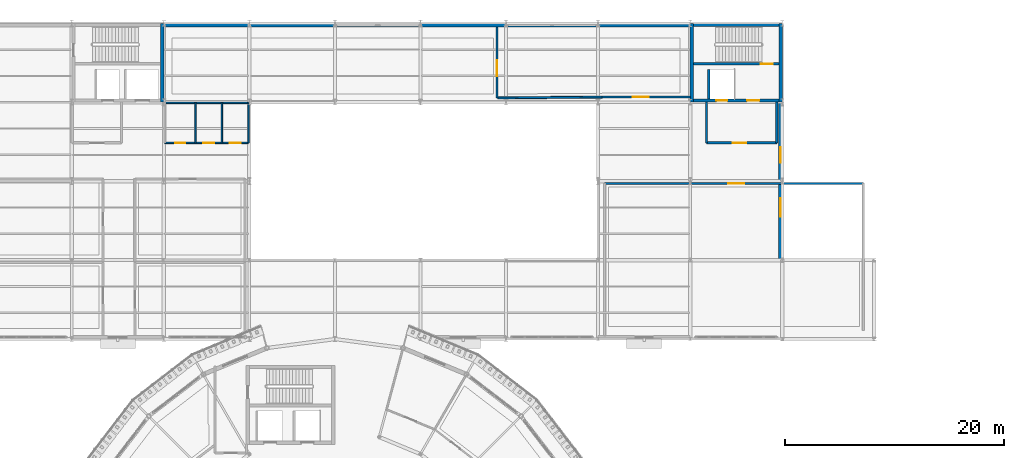
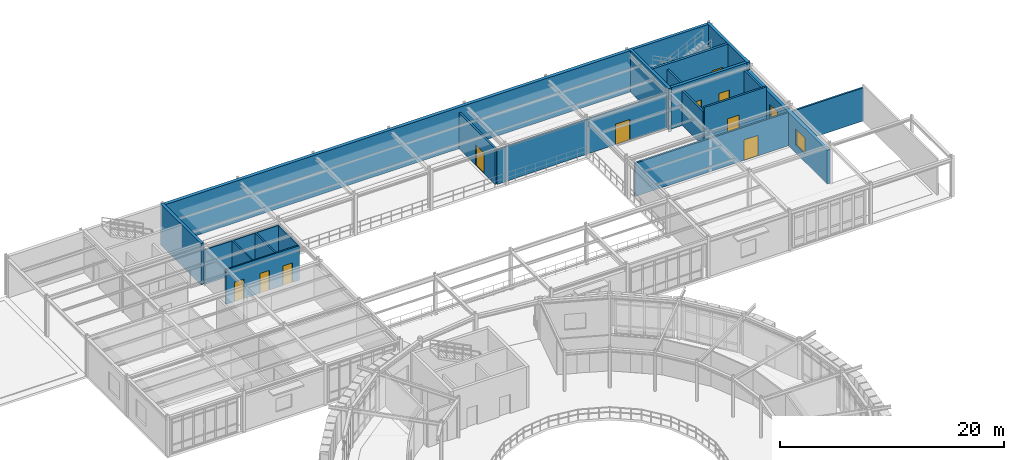
# One storey, part 91 of 106: 21 walls, 10 doors, 2 windows, 12 openings.
"""IFC4 building model written with IfcOpenShell, lengths in metres."""

from ifc_helpers import new_model, si_unit, derived_unit, direction, frame, frame_2d, origin, place, context, subcontext, project, spatial, rectangle, extrude, material, layer, layer_set, type_object, element, fill, save


model = new_model("IFC4")

# Units and contexts
model_context = context("Model", 3, precision=1e-05, world=origin(), true_north=direction((0.0, 1.0)))
body_context = subcontext(model_context, "Body", "Model", "MODEL_VIEW")
ifc_project = project(units=[si_unit("LENGTHUNIT", "METRE"), si_unit("AREAUNIT", "SQUARE_METRE"), si_unit("VOLUMEUNIT", "CUBIC_METRE"), si_unit("PLANEANGLEUNIT", "RADIAN"), si_unit("MASSUNIT", "GRAM", prefix="KILO"), derived_unit("THERMALTRANSMITTANCEUNIT", [(si_unit("POWERUNIT", "WATT"), 1), (si_unit("AREAUNIT", "SQUARE_METRE"), -1), (si_unit("THERMODYNAMICTEMPERATUREUNIT", "KELVIN"), -1)])], contexts=[model_context])

# Site, building, storey
site_placement = place(None, origin())
site = spatial("IfcSite", under=ifc_project, at=site_placement, CompositionType="ELEMENT")
building_placement = place(site_placement, origin())
building = spatial("IfcBuilding", under=site, at=building_placement, Name="Yasenodar Specialist Clinic", CompositionType="ELEMENT")
storey_placement = place(building_placement, frame((0.0, 0.0, 4.5)))
storey = spatial("IfcBuildingStorey", under=building, at=storey_placement, Name="L01", CompositionType="ELEMENT", Elevation=4.5)

# Wall, openings, windows
ifc_material_1 = material(Name="Buff Architectural Terracotta Rainscreen", Category="masonry")
ifc_layer_1 = layer(ifc_material_1, 0.340087890625)
ifc_layer_set_1 = layer_set([ifc_layer_1], Name="Buff Architectural Terracotta Rainscreen")
wall_type_1 = type_object("IfcWallType", Name="EW-TERR-340", PredefinedType="SOLIDWALL", material=ifc_layer_set_1)
wall_1_placement = place(storey_placement, frame((121.6298828125, 104.39990234375, 0.0), z_axis=(0.0, 0.0, 1.0), x_axis=(0.0, -1.0, 0.0)))
wall_1 = element("IfcWall", 1, at=wall_1_placement, inside=storey, type_object=wall_type_1, Name="L01 Exterior Facade Wall 0167", PredefinedType="SOLIDWALL", context=body_context, shape_type="SweptSolid", body=[
    extrude(rectangle(XDim=14.39990234375, YDim=0.340087890625, at=frame_2d((7.199951171875, 0.0))), origin(), (0.0, 0.0, 1.0), 3.677978515625),
])
opening_1_placement = place(wall_1_placement, frame((4.10009765625, 0.0, 0.85009765625)))
opening_1 = element("IfcOpeningElement", 2, at=opening_1_placement, cuts=wall_1, Name="Opening W-11", PredefinedType="OPENING", context=body_context, shape_type="SweptSolid", body=[
    extrude(rectangle(XDim=1.39990234375, YDim=1.64990234375, at=frame_2d((0.699951171875, 0.824951171875))), frame((0.0, 0.18017578125, 0.0), z_axis=(0.0, -1.0, 0.0), x_axis=(1.0, 0.0, 0.0)), (0.0, 0.0, 1.0), 0.360107421875),
])
opening_2_placement = place(wall_1_placement, frame((8.75, 0.0, 0.85009765625)))
opening_2 = element("IfcOpeningElement", 3, at=opening_2_placement, cuts=wall_1, Name="Opening W-12", PredefinedType="OPENING", context=body_context, shape_type="SweptSolid", body=[
    extrude(rectangle(XDim=1.699951171875, YDim=1.75, at=frame_2d((0.85009765625, 0.875))), frame((0.0, 0.18017578125, 0.0), z_axis=(0.0, -1.0, 0.0), x_axis=(1.0, 0.0, 0.0)), (0.0, 0.0, 1.0), 0.360107421875),
])
ifc_material_2 = material(Name="Triple Low-E Argon Glazing in Bronze Aluminium Frame", Category="aluminium")
window_type_1 = type_object("IfcWindowType", Name="WIN-EXT-11", PartitioningType="SINGLE_PANEL", PredefinedType="WINDOW", material=ifc_material_2)
window_1_placement = place(opening_1_placement, origin())
window_1 = element("IfcWindow", 4, at=window_1_placement, inside=storey, type_object=window_type_1, Name="L01 Triple-Glazed Reveal Window 0184", OverallHeight=1.64990234375, OverallWidth=1.39990234375, PartitioningType="SINGLE_PANEL", PredefinedType="WINDOW", context=body_context, shape_type="SweptSolid", body=[
    extrude(rectangle(XDim=1.39990234375, YDim=1.64990234375, at=frame_2d((0.699951171875, 0.824951171875))), frame((0.0, 0.030029296875, 0.0), z_axis=(0.0, -1.0, 0.0), x_axis=(1.0, 0.0, 0.0)), (0.0, 0.0, 1.0), 0.06005859375),
])
fill(opening_1, window_1)
window_type_2 = type_object("IfcWindowType", Name="WIN-EXT-12", PartitioningType="SINGLE_PANEL", PredefinedType="WINDOW", material=ifc_material_2)
window_2_placement = place(opening_2_placement, origin())
window_2 = element("IfcWindow", 5, at=window_2_placement, inside=storey, type_object=window_type_2, Name="L01 Triple-Glazed Reveal Window 0185", OverallHeight=1.75, OverallWidth=1.699951171875, PartitioningType="SINGLE_PANEL", PredefinedType="WINDOW", context=body_context, shape_type="SweptSolid", body=[
    extrude(rectangle(XDim=1.699951171875, YDim=1.75, at=frame_2d((0.85009765625, 0.875))), frame((0.0, 0.030029296875, 0.0), z_axis=(0.0, -1.0, 0.0), x_axis=(1.0, 0.0, 0.0)), (0.0, 0.0, 1.0), 0.06005859375),
])
fill(opening_2, window_2)

# Wall, opening, door
ifc_material_3 = material(Name="Fire-Rated Gypsum and Mineral-Wool Wall")
ifc_layer_2 = layer(ifc_material_3, 0.195068359375)
ifc_layer_set_2 = layer_set([ifc_layer_2], Name="Fire-Rated Gypsum and Mineral-Wool Wall")
wall_type_2 = type_object("IfcWallType", Name="IW-LOBBY-195", PredefinedType="PARTITIONING", material=ifc_layer_set_2)
wall_2_placement = place(storey_placement, frame((114.89990234375, 100.699951171875, 0.0), z_axis=(0.0, 0.0, 1.0), x_axis=(1.0, 0.0, 0.0)))
wall_2 = element("IfcWall", 6, at=wall_2_placement, inside=storey, type_object=wall_type_2, Name="L01 C5 Firefighting Lobby South Wall", PredefinedType="PARTITIONING", context=body_context, shape_type="SweptSolid", body=[
    extrude(rectangle(XDim=6.400146484375, YDim=0.195068359375, at=frame_2d((3.2001953125, 0.0))), origin(), (0.0, 0.0, 1.0), 4.22998046875),
])
opening_3_placement = place(wall_2_placement, frame((2.39990234375, 0.0, 0.0)))
opening_3 = element("IfcOpeningElement", 7, at=opening_3_placement, cuts=wall_2, Name="Opening FD-02", PredefinedType="OPENING", context=body_context, shape_type="SweptSolid", body=[
    extrude(rectangle(XDim=1.199951171875, YDim=2.14990234375, at=frame_2d((0.60009765625, 1.074951171875))), frame((0.0, 0.107421875, 0.0), z_axis=(0.0, -1.0, 0.0), x_axis=(1.0, 0.0, 0.0)), (0.0, 0.0, 1.0), 0.215087890625),
])
ifc_material_4 = material(Name="Fire-Rated Insulated Steel Door", Category="steel")
door_type_1 = type_object("IfcDoorType", Name="DR-FD-120", OperationType="NOTDEFINED", PredefinedType="DOOR", material=ifc_material_4)
door_1_placement = place(opening_3_placement, origin())
door_1 = element("IfcDoor", 8, at=door_1_placement, inside=storey, type_object=door_type_1, Name="L01 C5 Firefighting Lobby Door", OperationType="SINGLE_SWING_LEFT", OverallHeight=2.14990234375, OverallWidth=1.199951171875, PredefinedType="DOOR", context=body_context, shape_type="SweptSolid", body=[
    extrude(rectangle(XDim=1.199951171875, YDim=2.14990234375, at=frame_2d((0.60009765625, 1.074951171875))), frame((0.0, 0.02490234375, 0.0), z_axis=(0.0, -1.0, 0.0), x_axis=(1.0, 0.0, 0.0)), (0.0, 0.0, 1.0), 0.050048828125),
])
fill(opening_3, door_1)

# Walls
for number, where, z_axis, x_axis, name in (
    (9, (121.300048828125, 100.699951171875, 0.0), (0.0, 0.0, 1.0), (0.0, 1.0, 0.0), "L01 C5 Firefighting Lobby East Wall"),
    (10, (114.89990234375, 100.699951171875, 0.0), (0.0, 0.0, 1.0), (0.0, 1.0, 0.0), "L01 C5 Firefighting Lobby West Wall"),
):
    element("IfcWall", number, at=place(storey_placement, frame(where, z_axis=z_axis, x_axis=x_axis)), inside=storey, type_object=wall_type_2, Name=name, PredefinedType="PARTITIONING", context=body_context, shape_type="SweptSolid", body=[
        extrude(rectangle(XDim=3.699951171875, YDim=0.195068359375, at=frame_2d((1.85009765625, 0.0))), origin(), (0.0, 0.0, 1.0), 3.778076171875),
    ])

# Wall, opening, door
ifc_material_5 = material(Name="Hygienic Double-Stud Clinical Partition")
ifc_layer_3 = layer(ifc_material_5, 0.179931640625)
ifc_layer_set_3 = layer_set([ifc_layer_3], Name="Hygienic Double-Stud Clinical Partition")
wall_type_3 = type_object("IfcWallType", Name="IW-PROC-180", PredefinedType="PARTITIONING", material=ifc_layer_set_3)
wall_3_placement = place(storey_placement, frame((95.800048828125, 111.27001953125, 0.0), z_axis=(0.0, 0.0, 1.0), x_axis=(0.0, -1.0, 0.0)))
wall_3 = element("IfcWall", 11, at=wall_3_placement, inside=storey, type_object=wall_type_3, Name="L01 Post-Procedure Recovery Ward Partition", PredefinedType="PARTITIONING", context=body_context, shape_type="SweptSolid", body=[
    extrude(rectangle(XDim=6.469970703125, YDim=0.179931640625, at=frame_2d((3.23486328125, 0.0))), origin(), (0.0, 0.0, 1.0), 3.927978515625),
])
opening_4_placement = place(wall_3_placement, frame((3.02001953125, 0.0, 0.0)))
opening_4 = element("IfcOpeningElement", 12, at=opening_4_placement, cuts=wall_3, Name="Opening D-09", PredefinedType="OPENING", context=body_context, shape_type="SweptSolid", body=[
    extrude(rectangle(XDim=1.47998046875, YDim=2.239990234375, at=frame_2d((0.739990234375, 1.1201171875))), frame((0.0, 0.10009765625, 0.0), z_axis=(0.0, -1.0, 0.0), x_axis=(1.0, 0.0, 0.0)), (0.0, 0.0, 1.0), 0.199951171875),
])
ifc_material_6 = material(Name="Powder-Coated Steel and Acoustic Laminate Leaf", Category="steel")
door_type_2 = type_object("IfcDoorType", Name="DR-BED-148", OperationType="DOUBLE_DOOR_SINGLE_SWING", PredefinedType="DOOR", material=ifc_material_6)
door_2_placement = place(opening_4_placement, origin())
door_2 = element("IfcDoor", 13, at=door_2_placement, inside=storey, type_object=door_type_2, Name="L01 Post-Procedure Recovery Ward Door", OperationType="DOUBLE_DOOR_SINGLE_SWING", OverallHeight=2.239990234375, OverallWidth=1.47998046875, PredefinedType="DOOR", context=body_context, shape_type="SweptSolid", body=[
    extrude(rectangle(XDim=1.47998046875, YDim=2.239990234375, at=frame_2d((0.739990234375, 1.1201171875))), frame((0.0, 0.02490234375, 0.0), z_axis=(0.0, -1.0, 0.0), x_axis=(1.0, 0.0, 0.0)), (0.0, 0.0, 1.0), 0.050048828125),
])
fill(opening_4, door_2)

wall_4_placement = place(storey_placement, frame((113.419921875, 104.8701171875, 0.0), z_axis=(0.0, 0.0, 1.0), x_axis=(-1.0, 0.0, 0.0)))
wall_4 = element("IfcWall", 14, at=wall_4_placement, inside=storey, type_object=wall_type_3, Name="L01 Nurse Recovery Monitoring Station Partition", PredefinedType="PARTITIONING", context=body_context, shape_type="SweptSolid", body=[
    extrude(rectangle(XDim=8.0400390625, YDim=0.179931640625, at=frame_2d((4.02001953125, 0.0))), origin(), (0.0, 0.0, 1.0), 3.778076171875),
])
opening_5_placement = place(wall_4_placement, frame((3.780029296875, 0.0, 0.0)))
opening_5 = element("IfcOpeningElement", 15, at=opening_5_placement, cuts=wall_4, Name="Opening D-09", PredefinedType="OPENING", context=body_context, shape_type="SweptSolid", body=[
    extrude(rectangle(XDim=1.47998046875, YDim=2.239990234375, at=frame_2d((0.739990234375, 1.1201171875))), frame((0.0, 0.10009765625, 0.0), z_axis=(0.0, -1.0, 0.0), x_axis=(1.0, 0.0, 0.0)), (0.0, 0.0, 1.0), 0.199951171875),
])
door_3_placement = place(opening_5_placement, origin())
door_3 = element("IfcDoor", 16, at=door_3_placement, inside=storey, type_object=door_type_2, Name="L01 Nurse Recovery Monitoring Station Door", OperationType="DOUBLE_DOOR_SINGLE_SWING", OverallHeight=2.239990234375, OverallWidth=1.47998046875, PredefinedType="DOOR", context=body_context, shape_type="SweptSolid", body=[
    extrude(rectangle(XDim=1.47998046875, YDim=2.239990234375, at=frame_2d((0.739990234375, 1.1201171875))), frame((0.0, 0.02490234375, 0.0), z_axis=(0.0, -1.0, 0.0), x_axis=(1.0, 0.0, 0.0)), (0.0, 0.0, 1.0), 0.050048828125),
])
fill(opening_5, door_3)

# Wall
wall_5_placement = place(storey_placement, frame((105.3798828125, 104.8701171875, 0.0), z_axis=(0.0, 0.0, 1.0), x_axis=(-0.999969546458, -0.007804239631, 0.0)))
element("IfcWall", 17, at=wall_5_placement, inside=storey, type_object=wall_type_3, Name="L01 Nurse Recovery Monitoring Station Partition", PredefinedType="PARTITIONING", context=body_context, shape_type="SweptSolid", body=[
    extrude(rectangle(XDim=9.510009765625, YDim=0.179931640625, at=frame_2d((4.7548828125, 0.0))), origin(), (0.0, 0.0, 1.0), 3.778076171875),
])

# Wall, opening, door
wall_6_placement = place(storey_placement, frame((105.60009765625, 97.0, 0.0), z_axis=(0.0, 0.0, 1.0), x_axis=(1.0, 0.0, 0.0)))
wall_6 = element("IfcWall", 18, at=wall_6_placement, inside=storey, type_object=wall_type_3, Name="L01 Pain Block Procedure Suite Partition", PredefinedType="PARTITIONING", context=body_context, shape_type="SweptSolid", body=[
    extrude(rectangle(XDim=23.599853515625, YDim=0.179931640625, at=frame_2d((11.7998046875, 0.0))), origin(), (0.0, 0.0, 1.0), 3.6279296875),
])
opening_6_placement = place(wall_6_placement, frame((11.25, 0.0, 0.0)))
opening_6 = element("IfcOpeningElement", 19, at=opening_6_placement, cuts=wall_6, Name="Opening D-09", PredefinedType="OPENING", context=body_context, shape_type="SweptSolid", body=[
    extrude(rectangle(XDim=1.47998046875, YDim=2.239990234375, at=frame_2d((0.739990234375, 1.1201171875))), frame((0.0, 0.10009765625, 0.0), z_axis=(0.0, -1.0, 0.0), x_axis=(1.0, 0.0, 0.0)), (0.0, 0.0, 1.0), 0.199951171875),
])
door_4_placement = place(opening_6_placement, origin())
door_4 = element("IfcDoor", 20, at=door_4_placement, inside=storey, type_object=door_type_2, Name="L01 Pain Block Procedure Suite Door", OperationType="DOUBLE_DOOR_SINGLE_SWING", OverallHeight=2.239990234375, OverallWidth=1.47998046875, PredefinedType="DOOR", context=body_context, shape_type="SweptSolid", body=[
    extrude(rectangle(XDim=1.47998046875, YDim=2.239990234375, at=frame_2d((0.739990234375, 1.1201171875))), frame((0.0, 0.02490234375, 0.0), z_axis=(0.0, -1.0, 0.0), x_axis=(1.0, 0.0, 0.0)), (0.0, 0.0, 1.0), 0.050048828125),
])
fill(opening_6, door_4)

# Walls
ifc_material_7 = material(Name="Aerated Concrete Blockwork Fire Shaft Wall", Category="masonry")
ifc_layer_4 = layer(ifc_material_7, 0.205078125)
ifc_layer_set_4 = layer_set([ifc_layer_4], Name="Aerated Concrete Blockwork Fire Shaft Wall")
wall_type_4 = type_object("IfcWallType", Name="IW-SHAFT-205", PredefinedType="PARTITIONING", material=ifc_layer_set_4)
wall_7_placement = place(storey_placement, frame((115.10009765625, 104.699951171875, 0.0), z_axis=(0.0, 0.0, 1.0), x_axis=(0.0, 1.0, 0.0)))
element("IfcWall", 21, at=wall_7_placement, inside=storey, type_object=wall_type_4, Name="L01 LF-08 Lift Shaft Side Wall", PredefinedType="PARTITIONING", context=body_context, shape_type="SweptSolid", body=[
    extrude(rectangle(XDim=2.699951171875, YDim=0.205078125, at=frame_2d((1.35009765625, 0.0))), origin(), (0.0, 0.0, 1.0), 4.22998046875),
])
ifc_material_8 = material(Name="Moisture-Resistant Sanitary Partition")
ifc_layer_5 = layer(ifc_material_8, 0.139892578125)
ifc_layer_set_5 = layer_set([ifc_layer_5], Name="Moisture-Resistant Sanitary Partition")
wall_type_5 = type_object("IfcWallType", Name="IW-WET-140", PredefinedType="PARTITIONING", material=ifc_layer_set_5)
wall_8_placement = place(storey_placement, frame((65.39990234375, 104.35009765625, 0.0), z_axis=(0.0, 0.0, 1.0), x_axis=(1.0, 0.0, 0.0)))
element("IfcWall", 22, at=wall_8_placement, inside=storey, type_object=wall_type_5, Name="L01 North Sanitary Block North Wall", PredefinedType="PARTITIONING", context=body_context, shape_type="SweptSolid", body=[
    extrude(rectangle(XDim=7.7001953125, YDim=0.139892578125, at=frame_2d((3.85009765625, 0.0))), origin(), (0.0, 0.0, 1.0), 3.778076171875),
])
wall_9_placement = place(storey_placement, frame((73.10009765625, 100.699951171875, 0.0), z_axis=(0.0, 0.0, 1.0), x_axis=(0.0, 1.0, 0.0)))
element("IfcWall", 23, at=wall_9_placement, inside=storey, type_object=wall_type_5, Name="L01 North Sanitary Block East Wall", PredefinedType="PARTITIONING", context=body_context, shape_type="SweptSolid", body=[
    extrude(rectangle(XDim=3.650146484375, YDim=0.139892578125, at=frame_2d((1.8251953125, 0.0))), origin(), (0.0, 0.0, 1.0), 3.778076171875),
])
for number, where, z_axis, x_axis, name in (
    (24, (68.300048828125, 100.699951171875, 0.0), (0.0, 0.0, 1.0), (0.0, 1.0, 0.0), "L01 North Accessible WC Divider Wall"),
    (25, (70.699951171875, 100.699951171875, 0.0), (0.0, 0.0, 1.0), (0.0, 1.0, 0.0), "L01 North Patient and Staff WC Divider Wall"),
):
    element("IfcWall", number, at=place(storey_placement, frame(where, z_axis=z_axis, x_axis=x_axis)), inside=storey, type_object=wall_type_5, Name=name, PredefinedType="PARTITIONING", context=body_context, shape_type="SweptSolid", body=[
        extrude(rectangle(XDim=3.650146484375, YDim=0.139892578125, at=frame_2d((1.8251953125, 0.0))), origin(), (0.0, 0.0, 1.0), 3.837890625),
    ])

# Wall, openings, doors
wall_10_placement = place(storey_placement, frame((65.5, 100.699951171875, 0.0), z_axis=(0.0, 0.0, 1.0), x_axis=(1.0, 0.0, 0.0)))
wall_10 = element("IfcWall", 26, at=wall_10_placement, inside=storey, type_object=wall_type_5, Name="L01 North Sanitary Block Corridor Wall", PredefinedType="PARTITIONING", context=body_context, shape_type="SweptSolid", body=[
    extrude(rectangle(XDim=7.60009765625, YDim=0.139892578125, at=frame_2d((3.800048828125, 0.0))), origin(), (0.0, 0.0, 1.0), 3.778076171875),
])
opening_7_placement = place(wall_10_placement, frame((0.919921875, 0.0, 0.0)))
opening_7 = element("IfcOpeningElement", 27, at=opening_7_placement, cuts=wall_10, Name="Opening D-01", PredefinedType="OPENING", context=body_context, shape_type="SweptSolid", body=[
    extrude(rectangle(XDim=0.949951171875, YDim=2.1201171875, at=frame_2d((0.47509765625, 1.06005859375))), frame((0.0, 0.080078125, 0.0), z_axis=(0.0, -1.0, 0.0), x_axis=(1.0, 0.0, 0.0)), (0.0, 0.0, 1.0), 0.159912109375),
])
opening_8_placement = place(wall_10_placement, frame((3.510009765625, 0.0, 0.0)))
opening_8 = element("IfcOpeningElement", 28, at=opening_8_placement, cuts=wall_10, Name="Opening D-02", PredefinedType="OPENING", context=body_context, shape_type="SweptSolid", body=[
    extrude(rectangle(XDim=0.97998046875, YDim=2.139892578125, at=frame_2d((0.489990234375, 1.06982421875))), frame((0.0, 0.080078125, 0.0), z_axis=(0.0, -1.0, 0.0), x_axis=(1.0, 0.0, 0.0)), (0.0, 0.0, 1.0), 0.159912109375),
])
opening_9_placement = place(wall_10_placement, frame((5.909912109375, 0.0, 0.0)))
opening_9 = element("IfcOpeningElement", 29, at=opening_9_placement, cuts=wall_10, Name="Opening D-02", PredefinedType="OPENING", context=body_context, shape_type="SweptSolid", body=[
    extrude(rectangle(XDim=0.97998046875, YDim=2.139892578125, at=frame_2d((0.489990234375, 1.06982421875))), frame((0.0, 0.080078125, 0.0), z_axis=(0.0, -1.0, 0.0), x_axis=(1.0, 0.0, 0.0)), (0.0, 0.0, 1.0), 0.159912109375),
])
door_type_3 = type_object("IfcDoorType", Name="DR-CLN-095", OperationType="NOTDEFINED", PredefinedType="DOOR", material=ifc_material_6)
door_5_placement = place(opening_7_placement, origin())
door_5 = element("IfcDoor", 30, at=door_5_placement, inside=storey, type_object=door_type_3, Name="L01 North Accessible WC Door", OperationType="SINGLE_SWING_LEFT", OverallHeight=2.1201171875, OverallWidth=0.949951171875, PredefinedType="DOOR", context=body_context, shape_type="SweptSolid", body=[
    extrude(rectangle(XDim=0.949951171875, YDim=2.1201171875, at=frame_2d((0.47509765625, 1.06005859375))), frame((0.0, 0.02490234375, 0.0), z_axis=(0.0, -1.0, 0.0), x_axis=(1.0, 0.0, 0.0)), (0.0, 0.0, 1.0), 0.050048828125),
])
fill(opening_7, door_5)
door_type_4 = type_object("IfcDoorType", Name="DR-CLN-098", OperationType="NOTDEFINED", PredefinedType="DOOR", material=ifc_material_6)
door_6_placement = place(opening_8_placement, origin())
door_6 = element("IfcDoor", 31, at=door_6_placement, inside=storey, type_object=door_type_4, Name="L01 North Patient Washroom WC Door", OperationType="SINGLE_SWING_RIGHT", OverallHeight=2.139892578125, OverallWidth=0.97998046875, PredefinedType="DOOR", context=body_context, shape_type="SweptSolid", body=[
    extrude(rectangle(XDim=0.97998046875, YDim=2.139892578125, at=frame_2d((0.489990234375, 1.06982421875))), frame((0.0, 0.02490234375, 0.0), z_axis=(0.0, -1.0, 0.0), x_axis=(1.0, 0.0, 0.0)), (0.0, 0.0, 1.0), 0.050048828125),
])
fill(opening_8, door_6)
door_7_placement = place(opening_9_placement, origin())
door_7 = element("IfcDoor", 32, at=door_7_placement, inside=storey, type_object=door_type_4, Name="L01 North Staff Washroom WC Door", OperationType="SINGLE_SWING_LEFT", OverallHeight=2.139892578125, OverallWidth=0.97998046875, PredefinedType="DOOR", context=body_context, shape_type="SweptSolid", body=[
    extrude(rectangle(XDim=0.97998046875, YDim=2.139892578125, at=frame_2d((0.489990234375, 1.06982421875))), frame((0.0, 0.02490234375, 0.0), z_axis=(0.0, -1.0, 0.0), x_axis=(1.0, 0.0, 0.0)), (0.0, 0.0, 1.0), 0.050048828125),
])
fill(opening_9, door_7)

# Wall, opening, door
ifc_material_9 = material(Name="Concrete C35/45", Category="concrete")
ifc_layer_6 = layer(ifc_material_9, 0.25)
ifc_layer_set_6 = layer_set([ifc_layer_6], Name="Concrete C35/45")
wall_type_6 = type_object("IfcWallType", Name="WL-CORE-250", PredefinedType="SHEAR", material=ifc_layer_set_6)
wall_11_placement = place(storey_placement, frame((113.699951171875, 107.89990234375, 0.0), z_axis=(0.0, 0.0, 1.0), x_axis=(1.0, 0.0, 0.0)))
wall_11 = element("IfcWall", 33, at=wall_11_placement, inside=storey, type_object=wall_type_6, Name="L01 Core C5 Central Spine Wall", PredefinedType="SHEAR", context=body_context, shape_type="SweptSolid", body=[
    extrude(rectangle(XDim=7.800048828125, YDim=0.25, at=frame_2d((3.89990234375, 0.0))), origin(), (0.0, 0.0, 1.0), 4.5),
])
opening_10_placement = place(wall_11_placement, frame((6.14990234375, 0.0, 0.0)))
opening_10 = element("IfcOpeningElement", 34, at=opening_10_placement, cuts=wall_11, Name="Opening FD-01", PredefinedType="OPENING", context=body_context, shape_type="SweptSolid", body=[
    extrude(rectangle(XDim=1.10009765625, YDim=2.14990234375, at=frame_2d((0.550048828125, 1.074951171875))), frame((0.0, 0.135009765625, 0.0), z_axis=(0.0, -1.0, 0.0), x_axis=(1.0, 0.0, 0.0)), (0.0, 0.0, 1.0), 0.27001953125),
])
door_type_5 = type_object("IfcDoorType", Name="DR-FD-110", OperationType="NOTDEFINED", PredefinedType="DOOR", material=ifc_material_4)
door_8_placement = place(opening_10_placement, origin())
door_8 = element("IfcDoor", 35, at=door_8_placement, inside=storey, type_object=door_type_5, Name="L01 ST-05 Protected Stair Door", OperationType="SINGLE_SWING_LEFT", OverallHeight=2.14990234375, OverallWidth=1.10009765625, PredefinedType="DOOR", context=body_context, shape_type="SweptSolid", body=[
    extrude(rectangle(XDim=1.10009765625, YDim=2.14990234375, at=frame_2d((0.550048828125, 1.074951171875))), frame((0.0, 0.02490234375, 0.0), z_axis=(0.0, -1.0, 0.0), x_axis=(1.0, 0.0, 0.0)), (0.0, 0.0, 1.0), 0.050048828125),
])
fill(opening_10, door_8)

# Walls
ifc_layer_7 = layer(ifc_material_9, 0.300048828125)
ifc_layer_set_7 = layer_set([ifc_layer_7], Name="Concrete C35/45")
wall_type_7 = type_object("IfcWallType", Name="WL-CORE-300", PredefinedType="SHEAR", material=ifc_layer_set_7)
wall_12_placement = place(storey_placement, frame((65.25, 104.39990234375, 0.0), z_axis=(0.0, 0.0, 1.0), x_axis=(0.0, 1.0, 0.0)))
element("IfcWall", 36, at=wall_12_placement, inside=storey, type_object=wall_type_7, Name="L01 Core C4 East Shear Wall", PredefinedType="SHEAR", context=body_context, shape_type="SweptSolid", body=[
    extrude(rectangle(XDim=7.2001953125, YDim=0.300048828125, at=frame_2d((3.60009765625, 0.0))), origin(), (0.0, 0.0, 1.0), 4.5),
])
wall_13_placement = place(storey_placement, frame((113.39990234375, 111.449951171875, 0.0), z_axis=(0.0, 0.0, 1.0), x_axis=(1.0, 0.0, 0.0)))
element("IfcWall", 37, at=wall_13_placement, inside=storey, type_object=wall_type_7, Name="L01 Core C5 North Shear Wall", PredefinedType="SHEAR", context=body_context, shape_type="SweptSolid", body=[
    extrude(rectangle(XDim=8.400146484375, YDim=0.300048828125, at=frame_2d((4.2001953125, 0.0))), origin(), (0.0, 0.0, 1.0), 4.5),
])

# Wall, openings, doors
wall_14_placement = place(storey_placement, frame((113.39990234375, 104.550048828125, 0.0), z_axis=(0.0, 0.0, 1.0), x_axis=(1.0, 0.0, 0.0)))
wall_14 = element("IfcWall", 38, at=wall_14_placement, inside=storey, type_object=wall_type_7, Name="L01 Core C5 South Shear Wall", PredefinedType="SHEAR", context=body_context, shape_type="SweptSolid", body=[
    extrude(rectangle(XDim=8.400146484375, YDim=0.300048828125, at=frame_2d((4.2001953125, 0.0))), origin(), (0.0, 0.0, 1.0), 4.5),
])
opening_11_placement = place(wall_14_placement, frame((5.199951171875, 0.0, 0.0)))
opening_11 = element("IfcOpeningElement", 39, at=opening_11_placement, cuts=wall_14, Name="Opening FD-01", PredefinedType="OPENING", context=body_context, shape_type="SweptSolid", body=[
    extrude(rectangle(XDim=1.10009765625, YDim=2.14990234375, at=frame_2d((0.550048828125, 1.074951171875))), frame((0.0, 0.16015625, 0.0), z_axis=(0.0, -1.0, 0.0), x_axis=(1.0, 0.0, 0.0)), (0.0, 0.0, 1.0), 0.320068359375),
])
opening_12_placement = place(wall_14_placement, frame((2.39990234375, 0.0, 0.0)))
opening_12 = element("IfcOpeningElement", 40, at=opening_12_placement, cuts=wall_14, Name="Opening LD-01", PredefinedType="OPENING", context=body_context, shape_type="SweptSolid", body=[
    extrude(rectangle(XDim=1.0, YDim=2.10009765625, at=frame_2d((0.5, 1.050048828125))), frame((0.0, 0.16015625, 0.0), z_axis=(0.0, -1.0, 0.0), x_axis=(1.0, 0.0, 0.0)), (0.0, 0.0, 1.0), 0.320068359375),
])
door_9_placement = place(opening_11_placement, origin())
door_9 = element("IfcDoor", 41, at=door_9_placement, inside=storey, type_object=door_type_5, Name="L01 Stair ST-05 Vestibule Door", OperationType="SINGLE_SWING_RIGHT", OverallHeight=2.14990234375, OverallWidth=1.10009765625, PredefinedType="DOOR", context=body_context, shape_type="SweptSolid", body=[
    extrude(rectangle(XDim=1.10009765625, YDim=2.14990234375, at=frame_2d((0.550048828125, 1.074951171875))), frame((0.0, 0.02490234375, 0.0), z_axis=(0.0, -1.0, 0.0), x_axis=(1.0, 0.0, 0.0)), (0.0, 0.0, 1.0), 0.050048828125),
])
fill(opening_11, door_9)
door_type_6 = type_object("IfcDoorType", Name="DR-LD-100", OperationType="DOUBLE_DOOR_SLIDING", PredefinedType="DOOR", material=ifc_material_4)
door_10_placement = place(opening_12_placement, origin())
door_10 = element("IfcDoor", 42, at=door_10_placement, inside=storey, type_object=door_type_6, Name="L01 LF-08 Lift Landing Door", OperationType="DOUBLE_DOOR_SLIDING", OverallHeight=2.10009765625, OverallWidth=1.0, PredefinedType="DOOR", context=body_context, shape_type="SweptSolid", body=[
    extrude(rectangle(XDim=1.0, YDim=2.10009765625, at=frame_2d((0.5, 1.050048828125))), frame((0.0, 0.02490234375, 0.0), z_axis=(0.0, -1.0, 0.0), x_axis=(1.0, 0.0, 0.0)), (0.0, 0.0, 1.0), 0.050048828125),
])
fill(opening_12, door_10)

# Walls
for number, where, z_axis, x_axis, name in (
    (43, (113.550048828125, 104.39990234375, 0.0), (0.0, 0.0, 1.0), (0.0, 1.0, 0.0), "L01 Core C5 West Shear Wall"),
    (44, (121.64990234375, 111.60009765625, 0.0), (0.0, 0.0, 1.0), (0.0, -1.0, 0.0), "L01 Core C5 East Shear Wall"),
):
    element("IfcWall", number, at=place(storey_placement, frame(where, z_axis=z_axis, x_axis=x_axis)), inside=storey, type_object=wall_type_7, Name=name, PredefinedType="SHEAR", context=body_context, shape_type="SweptSolid", body=[
        extrude(rectangle(XDim=7.2001953125, YDim=0.300048828125, at=frame_2d((3.60009765625, 0.0))), origin(), (0.0, 0.0, 1.0), 4.5),
    ])
ifc_layer_8 = layer(ifc_material_9, 0.35009765625)
ifc_layer_set_8 = layer_set([ifc_layer_8], Name="Concrete C35/45")
wall_type_8 = type_object("IfcWallType", Name="WL-PARTY-350", PredefinedType="SHEAR", material=ifc_layer_set_8)
wall_15_placement = place(storey_placement, frame((65.39990234375, 111.425048828125, 0.0), z_axis=(0.0, 0.0, 1.0), x_axis=(1.0, 0.0, 0.0)))
element("IfcWall", 45, at=wall_15_placement, inside=storey, type_object=wall_type_8, Name="L01 Northern Party Wall Segment 3", PredefinedType="SHEAR", context=body_context, shape_type="SweptSolid", body=[
    extrude(rectangle(XDim=48.0, YDim=0.35009765625, at=frame_2d((24.0, 0.0))), origin(), (0.0, 0.0, 1.0), 4.5),
])

save(model, "model.ifc")
